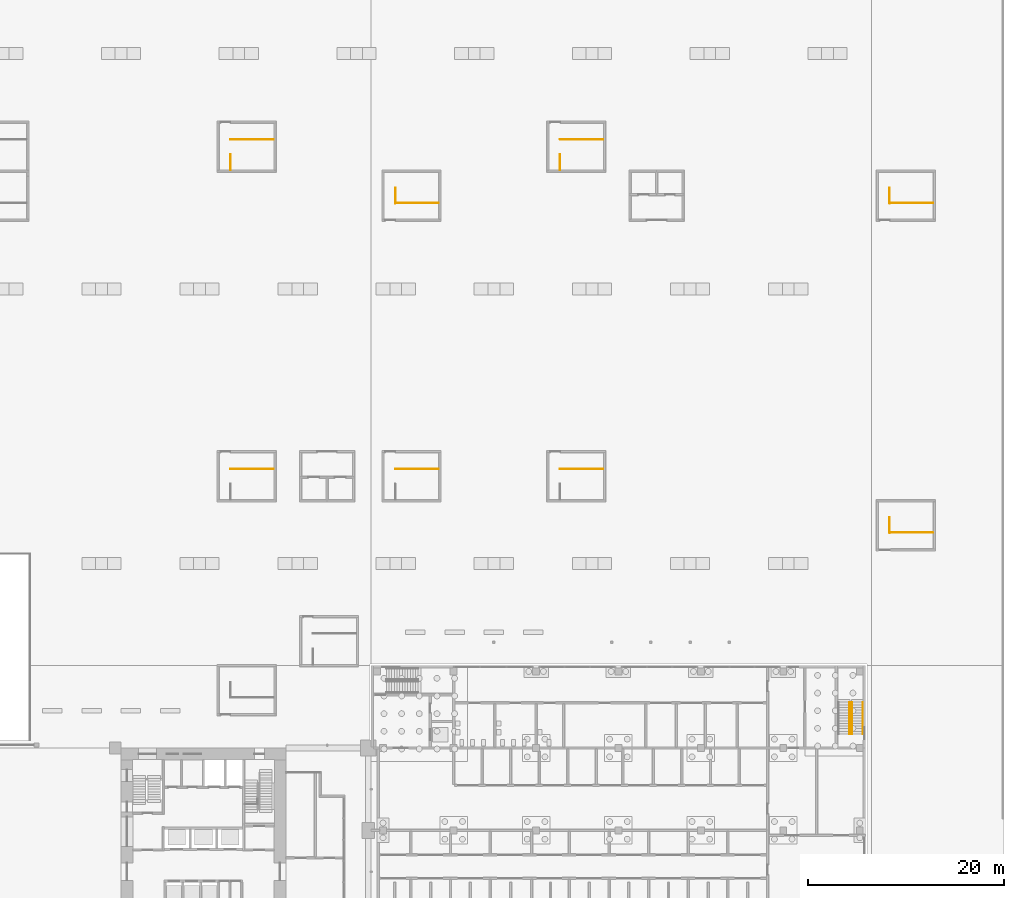
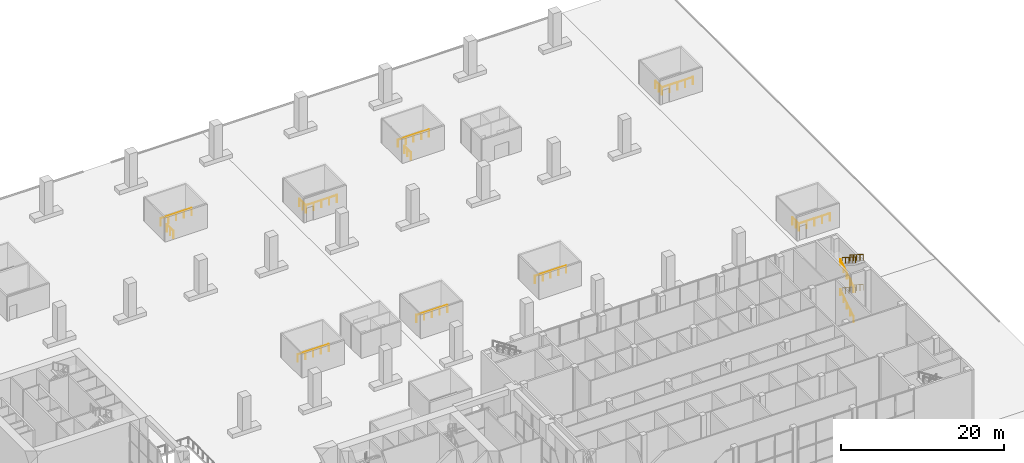
# One storey, part 42 of 46: 19 railings.
"""IFC4 building model written with IfcOpenShell, lengths in metres."""

from ifc_helpers import new_model, si_unit, direction, frame, origin, origin_2d, place, context, subcontext, project, spatial, circle, extrude, material, type_object, element, save


model = new_model("IFC4")

# Units and contexts
model_context = context("Model", 3, precision=1e-05, world=origin(), true_north=direction((0.0, 1.0)))
body_context = subcontext(model_context, "Body", "Model", "MODEL_VIEW")
ifc_project = project(units=[si_unit("LENGTHUNIT", "METRE"), si_unit("AREAUNIT", "SQUARE_METRE"), si_unit("VOLUMEUNIT", "CUBIC_METRE"), si_unit("PLANEANGLEUNIT", "RADIAN"), si_unit("MASSUNIT", "GRAM", prefix="KILO")], contexts=[model_context])

# Site, building, storey
site_placement = place(None, origin())
site = spatial("IfcSite", under=ifc_project, at=site_placement, CompositionType="ELEMENT")
building_placement = place(site_placement, origin())
building = spatial("IfcBuilding", under=site, at=building_placement, Name="Vermilion Gate Residences", CompositionType="ELEMENT")
storey_placement = place(building_placement, origin())
storey = spatial("IfcBuildingStorey", under=building, at=storey_placement, Name="L00", CompositionType="ELEMENT", Elevation=0.0)

# Railings
ifc_material_1 = material(Name="Steel", Category="steel")
railing_type_1 = type_object("IfcRailingType", Name="STAIR WELL GUARD 1100 (AMENITY)", PredefinedType="GUARDRAIL", material=ifc_material_1)
railing_1_placement = place(storey_placement, frame((69.949951171875, 53.64990234375, 0.0)))
element("IfcRailing", 1, at=railing_1_placement, inside=storey, type_object=railing_type_1, Name="Stair well guard 3 side", PredefinedType="GUARDRAIL", context=body_context, shape_type="SweptSolid", body=[
    extrude(circle(Radius=0.02392578125, at=origin_2d()), frame((0.0, 0.0, 1.076171875), z_axis=(1.0, 0.0, 0.0), x_axis=(0.0, 1.0, 0.0)), (0.0, 0.0, 1.0), 4.400146484375),
    extrude(circle(Radius=0.02099609375, at=origin_2d()), origin(), (0.0, 0.0, 1.0), 1.052001953125),
    extrude(circle(Radius=0.02099609375, at=origin_2d()), frame((1.10009765625, 0.0, 0.0)), (0.0, 0.0, 1.0), 1.052001953125),
    extrude(circle(Radius=0.02099609375, at=origin_2d()), frame((2.2001953125, 0.0, 0.0)), (0.0, 0.0, 1.0), 1.052001953125),
    extrude(circle(Radius=0.02099609375, at=origin_2d()), frame((3.300048828125, 0.0, 0.0)), (0.0, 0.0, 1.0), 1.052001953125),
    extrude(circle(Radius=0.02099609375, at=origin_2d()), frame((4.400146484375, 0.0, 0.0)), (0.0, 0.0, 1.0), 1.052001953125),
])
railing_2_placement = place(storey_placement, frame((120.35009765625, 47.1201171875, 0.0)))
element("IfcRailing", 2, at=railing_2_placement, inside=storey, type_object=railing_type_1, Name="Stair well guard 5", PredefinedType="GUARDRAIL", context=body_context, shape_type="SweptSolid", body=[
    extrude(circle(Radius=0.02392578125, at=origin_2d()), frame((0.0, 0.0, 1.076171875), z_axis=(0.0, 1.0, 0.0), x_axis=(-1.0, 0.0, 0.0)), (0.0, 0.0, 1.0), 1.579833984375),
    extrude(circle(Radius=0.02099609375, at=origin_2d()), origin(), (0.0, 0.0, 1.0), 1.052001953125),
    extrude(circle(Radius=0.02099609375, at=origin_2d()), frame((0.0, 0.7900390625, 0.0)), (0.0, 0.0, 1.0), 1.052001953125),
    extrude(circle(Radius=0.02099609375, at=origin_2d()), frame((0.0, 1.579833984375, 0.0)), (0.0, 0.0, 1.0), 1.052001953125),
])
for number, where, name in (
    (3, (120.35009765625, 47.14990234375, 0.0), "Stair well guard 5 side"),
    (4, (86.75, 53.64990234375, 0.0), "Stair well guard 6 side"),
):
    element("IfcRailing", number, at=place(storey_placement, frame(where)), inside=storey, type_object=railing_type_1, Name=name, PredefinedType="GUARDRAIL", context=body_context, shape_type="SweptSolid", body=[
        extrude(circle(Radius=0.02392578125, at=origin_2d()), frame((0.0, 0.0, 1.076171875), z_axis=(1.0, 0.0, 0.0), x_axis=(0.0, 1.0, 0.0)), (0.0, 0.0, 1.0), 4.39990234375),
        extrude(circle(Radius=0.02099609375, at=origin_2d()), origin(), (0.0, 0.0, 1.0), 1.052001953125),
        extrude(circle(Radius=0.02099609375, at=origin_2d()), frame((1.10009765625, 0.0, 0.0)), (0.0, 0.0, 1.0), 1.052001953125),
        extrude(circle(Radius=0.02099609375, at=origin_2d()), frame((2.199951171875, 0.0, 0.0)), (0.0, 0.0, 1.0), 1.052001953125),
        extrude(circle(Radius=0.02099609375, at=origin_2d()), frame((3.2998046875, 0.0, 0.0)), (0.0, 0.0, 1.0), 1.052001953125),
        extrude(circle(Radius=0.02099609375, at=origin_2d()), frame((4.39990234375, 0.0, 0.0)), (0.0, 0.0, 1.0), 1.052001953125),
    ])
railing_3_placement = place(storey_placement, frame((69.949951171875, 80.719970703125, 0.0)))
element("IfcRailing", 5, at=railing_3_placement, inside=storey, type_object=railing_type_1, Name="Stair well guard 11", PredefinedType="GUARDRAIL", context=body_context, shape_type="SweptSolid", body=[
    extrude(circle(Radius=0.02392578125, at=origin_2d()), frame((0.0, 0.0, 1.076171875), z_axis=(0.0, 1.0, 0.0), x_axis=(-1.0, 0.0, 0.0)), (0.0, 0.0, 1.0), 1.580078125),
    extrude(circle(Radius=0.02099609375, at=origin_2d()), origin(), (0.0, 0.0, 1.0), 1.052001953125),
    extrude(circle(Radius=0.02099609375, at=origin_2d()), frame((0.0, 0.7900390625, 0.0)), (0.0, 0.0, 1.0), 1.052001953125),
    extrude(circle(Radius=0.02099609375, at=origin_2d()), frame((0.0, 1.580078125, 0.0)), (0.0, 0.0, 1.0), 1.052001953125),
])
railing_4_placement = place(storey_placement, frame((69.949951171875, 80.75, 0.0)))
element("IfcRailing", 6, at=railing_4_placement, inside=storey, type_object=railing_type_1, Name="Stair well guard 11 side", PredefinedType="GUARDRAIL", context=body_context, shape_type="SweptSolid", body=[
    extrude(circle(Radius=0.02392578125, at=origin_2d()), frame((0.0, 0.0, 1.076171875), z_axis=(1.0, 0.0, 0.0), x_axis=(0.0, 1.0, 0.0)), (0.0, 0.0, 1.0), 4.400146484375),
    extrude(circle(Radius=0.02099609375, at=origin_2d()), origin(), (0.0, 0.0, 1.0), 1.052001953125),
    extrude(circle(Radius=0.02099609375, at=origin_2d()), frame((1.10009765625, 0.0, 0.0)), (0.0, 0.0, 1.0), 1.052001953125),
    extrude(circle(Radius=0.02099609375, at=origin_2d()), frame((2.2001953125, 0.0, 0.0)), (0.0, 0.0, 1.0), 1.052001953125),
    extrude(circle(Radius=0.02099609375, at=origin_2d()), frame((3.300048828125, 0.0, 0.0)), (0.0, 0.0, 1.0), 1.052001953125),
    extrude(circle(Radius=0.02099609375, at=origin_2d()), frame((4.400146484375, 0.0, 0.0)), (0.0, 0.0, 1.0), 1.052001953125),
])
railing_5_placement = place(storey_placement, frame((53.14990234375, 84.1201171875, 0.0)))
element("IfcRailing", 7, at=railing_5_placement, inside=storey, type_object=railing_type_1, Name="Stair well guard 12", PredefinedType="GUARDRAIL", context=body_context, shape_type="SweptSolid", body=[
    extrude(circle(Radius=0.02392578125, at=origin_2d()), frame((0.0, 0.0, 1.076171875), z_axis=(0.0, 1.0, 0.0), x_axis=(-1.0, 0.0, 0.0)), (0.0, 0.0, 1.0), 1.579833984375),
    extrude(circle(Radius=0.02099609375, at=origin_2d()), origin(), (0.0, 0.0, 1.0), 1.052001953125),
    extrude(circle(Radius=0.02099609375, at=origin_2d()), frame((0.0, 0.7900390625, 0.0)), (0.0, 0.0, 1.0), 1.052001953125),
    extrude(circle(Radius=0.02099609375, at=origin_2d()), frame((0.0, 1.579833984375, 0.0)), (0.0, 0.0, 1.0), 1.052001953125),
])
railing_6_placement = place(storey_placement, frame((53.14990234375, 87.25, 0.0)))
element("IfcRailing", 8, at=railing_6_placement, inside=storey, type_object=railing_type_1, Name="Stair well guard 12 side", PredefinedType="GUARDRAIL", context=body_context, shape_type="SweptSolid", body=[
    extrude(circle(Radius=0.02392578125, at=origin_2d()), frame((0.0, 0.0, 1.076171875), z_axis=(1.0, 0.0, 0.0), x_axis=(0.0, 1.0, 0.0)), (0.0, 0.0, 1.0), 4.400146484375),
    extrude(circle(Radius=0.02099609375, at=origin_2d()), origin(), (0.0, 0.0, 1.0), 1.052001953125),
    extrude(circle(Radius=0.02099609375, at=origin_2d()), frame((1.10009765625, 0.0, 0.0)), (0.0, 0.0, 1.0), 1.052001953125),
    extrude(circle(Radius=0.02099609375, at=origin_2d()), frame((2.2001953125, 0.0, 0.0)), (0.0, 0.0, 1.0), 1.052001953125),
    extrude(circle(Radius=0.02099609375, at=origin_2d()), frame((3.300048828125, 0.0, 0.0)), (0.0, 0.0, 1.0), 1.052001953125),
    extrude(circle(Radius=0.02099609375, at=origin_2d()), frame((4.400146484375, 0.0, 0.0)), (0.0, 0.0, 1.0), 1.052001953125),
])
railing_7_placement = place(storey_placement, frame((120.35009765625, 80.719970703125, 0.0)))
element("IfcRailing", 9, at=railing_7_placement, inside=storey, type_object=railing_type_1, Name="Stair well guard 13", PredefinedType="GUARDRAIL", context=body_context, shape_type="SweptSolid", body=[
    extrude(circle(Radius=0.02392578125, at=origin_2d()), frame((0.0, 0.0, 1.076171875), z_axis=(0.0, 1.0, 0.0), x_axis=(-1.0, 0.0, 0.0)), (0.0, 0.0, 1.0), 1.580078125),
    extrude(circle(Radius=0.02099609375, at=origin_2d()), origin(), (0.0, 0.0, 1.0), 1.052001953125),
    extrude(circle(Radius=0.02099609375, at=origin_2d()), frame((0.0, 0.7900390625, 0.0)), (0.0, 0.0, 1.0), 1.052001953125),
    extrude(circle(Radius=0.02099609375, at=origin_2d()), frame((0.0, 1.580078125, 0.0)), (0.0, 0.0, 1.0), 1.052001953125),
])
railing_8_placement = place(storey_placement, frame((120.35009765625, 80.75, 0.0)))
element("IfcRailing", 10, at=railing_8_placement, inside=storey, type_object=railing_type_1, Name="Stair well guard 13 side", PredefinedType="GUARDRAIL", context=body_context, shape_type="SweptSolid", body=[
    extrude(circle(Radius=0.02392578125, at=origin_2d()), frame((0.0, 0.0, 1.076171875), z_axis=(1.0, 0.0, 0.0), x_axis=(0.0, 1.0, 0.0)), (0.0, 0.0, 1.0), 4.39990234375),
    extrude(circle(Radius=0.02099609375, at=origin_2d()), origin(), (0.0, 0.0, 1.0), 1.052001953125),
    extrude(circle(Radius=0.02099609375, at=origin_2d()), frame((1.10009765625, 0.0, 0.0)), (0.0, 0.0, 1.0), 1.052001953125),
    extrude(circle(Radius=0.02099609375, at=origin_2d()), frame((2.199951171875, 0.0, 0.0)), (0.0, 0.0, 1.0), 1.052001953125),
    extrude(circle(Radius=0.02099609375, at=origin_2d()), frame((3.2998046875, 0.0, 0.0)), (0.0, 0.0, 1.0), 1.052001953125),
    extrude(circle(Radius=0.02099609375, at=origin_2d()), frame((4.39990234375, 0.0, 0.0)), (0.0, 0.0, 1.0), 1.052001953125),
])
railing_9_placement = place(storey_placement, frame((86.75, 84.1201171875, 0.0)))
element("IfcRailing", 11, at=railing_9_placement, inside=storey, type_object=railing_type_1, Name="Stair well guard 14", PredefinedType="GUARDRAIL", context=body_context, shape_type="SweptSolid", body=[
    extrude(circle(Radius=0.02392578125, at=origin_2d()), frame((0.0, 0.0, 1.076171875), z_axis=(0.0, 1.0, 0.0), x_axis=(-1.0, 0.0, 0.0)), (0.0, 0.0, 1.0), 1.579833984375),
    extrude(circle(Radius=0.02099609375, at=origin_2d()), origin(), (0.0, 0.0, 1.0), 1.052001953125),
    extrude(circle(Radius=0.02099609375, at=origin_2d()), frame((0.0, 0.7900390625, 0.0)), (0.0, 0.0, 1.0), 1.052001953125),
    extrude(circle(Radius=0.02099609375, at=origin_2d()), frame((0.0, 1.579833984375, 0.0)), (0.0, 0.0, 1.0), 1.052001953125),
])
railing_10_placement = place(storey_placement, frame((86.75, 87.25, 0.0)))
element("IfcRailing", 12, at=railing_10_placement, inside=storey, type_object=railing_type_1, Name="Stair well guard 14 side", PredefinedType="GUARDRAIL", context=body_context, shape_type="SweptSolid", body=[
    extrude(circle(Radius=0.02392578125, at=origin_2d()), frame((0.0, 0.0, 1.076171875), z_axis=(1.0, 0.0, 0.0), x_axis=(0.0, 1.0, 0.0)), (0.0, 0.0, 1.0), 4.39990234375),
    extrude(circle(Radius=0.02099609375, at=origin_2d()), origin(), (0.0, 0.0, 1.0), 1.052001953125),
    extrude(circle(Radius=0.02099609375, at=origin_2d()), frame((1.10009765625, 0.0, 0.0)), (0.0, 0.0, 1.0), 1.052001953125),
    extrude(circle(Radius=0.02099609375, at=origin_2d()), frame((2.199951171875, 0.0, 0.0)), (0.0, 0.0, 1.0), 1.052001953125),
    extrude(circle(Radius=0.02099609375, at=origin_2d()), frame((3.2998046875, 0.0, 0.0)), (0.0, 0.0, 1.0), 1.052001953125),
    extrude(circle(Radius=0.02099609375, at=origin_2d()), frame((4.39990234375, 0.0, 0.0)), (0.0, 0.0, 1.0), 1.052001953125),
])
railing_11_placement = place(storey_placement, frame((53.14990234375, 53.64990234375, 0.0)))
element("IfcRailing", 13, at=railing_11_placement, inside=storey, type_object=railing_type_1, Name="Stair well guard 15 side", PredefinedType="GUARDRAIL", context=body_context, shape_type="SweptSolid", body=[
    extrude(circle(Radius=0.02392578125, at=origin_2d()), frame((0.0, 0.0, 1.076171875), z_axis=(1.0, 0.0, 0.0), x_axis=(0.0, 1.0, 0.0)), (0.0, 0.0, 1.0), 4.400146484375),
    extrude(circle(Radius=0.02099609375, at=origin_2d()), origin(), (0.0, 0.0, 1.0), 1.052001953125),
    extrude(circle(Radius=0.02099609375, at=origin_2d()), frame((1.10009765625, 0.0, 0.0)), (0.0, 0.0, 1.0), 1.052001953125),
    extrude(circle(Radius=0.02099609375, at=origin_2d()), frame((2.2001953125, 0.0, 0.0)), (0.0, 0.0, 1.0), 1.052001953125),
    extrude(circle(Radius=0.02099609375, at=origin_2d()), frame((3.300048828125, 0.0, 0.0)), (0.0, 0.0, 1.0), 1.052001953125),
    extrude(circle(Radius=0.02099609375, at=origin_2d()), frame((4.400146484375, 0.0, 0.0)), (0.0, 0.0, 1.0), 1.052001953125),
])
ifc_material_2 = material(Name="Steel", Category="steel")
railing_type_2 = type_object("IfcRailingType", Name="STEEL HANDRAIL 900 (MARKET HALL)", PredefinedType="HANDRAIL", material=ifc_material_2)
railing_12_placement = place(storey_placement, frame((116.25, 26.625, 0.173095703125)))
element("IfcRailing", 14, at=railing_12_placement, inside=storey, type_object=railing_type_2, Name="Stair handrail STH3-00-1b", PredefinedType="HANDRAIL", context=body_context, shape_type="SweptSolid", body=[
    extrude(circle(Radius=0.0224609375, at=origin_2d()), frame((0.0, 0.0, 0.87744140625), z_axis=(0.0, 0.841880617004, 0.539663808971), x_axis=(-1.0, 0.0, 0.0)), (0.0, 0.0, 1.0), 3.8486328125),
    extrude(circle(Radius=0.02001953125, at=origin_2d()), origin(), (0.0, 0.0, 1.0), 0.85498046875),
    extrude(circle(Radius=0.02001953125, at=origin_2d()), frame((0.0, 0.81005859375, 0.519287109375)), (0.0, 0.0, 1.0), 0.85498046875),
    extrude(circle(Radius=0.02001953125, at=origin_2d()), frame((0.0, 1.6201171875, 1.03857421875)), (0.0, 0.0, 1.0), 0.85498046875),
    extrude(circle(Radius=0.02001953125, at=origin_2d()), frame((0.0, 2.429931640625, 1.5576171875)), (0.0, 0.0, 1.0), 0.85498046875),
    extrude(circle(Radius=0.02001953125, at=origin_2d()), frame((0.0, 3.239990234375, 2.076904296875)), (0.0, 0.0, 1.0), 0.85498046875),
])
for number, where, name in (
    (15, (116.5, 29.864990234375, 2.423095703125), "Stair handrail STH3-00-2a"),
    (16, (117.60009765625, 29.864990234375, 2.423095703125), "Stair handrail STH3-00-2b"),
):
    element("IfcRailing", number, at=place(storey_placement, frame(where)), inside=storey, type_object=railing_type_2, Name=name, PredefinedType="HANDRAIL", context=body_context, shape_type="SweptSolid", body=[
        extrude(circle(Radius=0.0224609375, at=origin_2d()), frame((0.0, 0.0, 0.87744140625), z_axis=(0.0, -0.841880617004, 0.539663808971), x_axis=(1.0, 0.0, 0.0)), (0.0, 0.0, 1.0), 3.8486328125),
        extrude(circle(Radius=0.02001953125, at=origin_2d()), origin(), (0.0, 0.0, 1.0), 0.85498046875),
        extrude(circle(Radius=0.02001953125, at=origin_2d()), frame((0.0, -0.81005859375, 0.519287109375)), (0.0, 0.0, 1.0), 0.85498046875),
        extrude(circle(Radius=0.02001953125, at=origin_2d()), frame((0.0, -1.6201171875, 1.03857421875)), (0.0, 0.0, 1.0), 0.85498046875),
        extrude(circle(Radius=0.02001953125, at=origin_2d()), frame((0.0, -2.429931640625, 1.5576171875)), (0.0, 0.0, 1.0), 0.85498046875),
        extrude(circle(Radius=0.02001953125, at=origin_2d()), frame((0.0, -3.239990234375, 2.076904296875)), (0.0, 0.0, 1.0), 0.85498046875),
    ])
railing_13_placement = place(storey_placement, frame((116.25, 26.625, 4.673095703125)))
element("IfcRailing", 17, at=railing_13_placement, inside=storey, type_object=railing_type_2, Name="Stair handrail STH3-00-3b", PredefinedType="HANDRAIL", context=body_context, shape_type="SweptSolid", body=[
    extrude(circle(Radius=0.0224609375, at=origin_2d()), frame((0.0, 0.0, 0.87744140625), z_axis=(0.0, 0.841880617004, 0.539663808971), x_axis=(-1.0, 0.0, 0.0)), (0.0, 0.0, 1.0), 3.8486328125),
    extrude(circle(Radius=0.02001953125, at=origin_2d()), origin(), (0.0, 0.0, 1.0), 0.85498046875),
    extrude(circle(Radius=0.02001953125, at=origin_2d()), frame((0.0, 0.81005859375, 0.519287109375)), (0.0, 0.0, 1.0), 0.85498046875),
    extrude(circle(Radius=0.02001953125, at=origin_2d()), frame((0.0, 1.6201171875, 1.03857421875)), (0.0, 0.0, 1.0), 0.85498046875),
    extrude(circle(Radius=0.02001953125, at=origin_2d()), frame((0.0, 2.429931640625, 1.5576171875)), (0.0, 0.0, 1.0), 0.85498046875),
    extrude(circle(Radius=0.02001953125, at=origin_2d()), frame((0.0, 3.239990234375, 2.076904296875)), (0.0, 0.0, 1.0), 0.85498046875),
])
for number, where, name in (
    (18, (116.5, 29.864990234375, 6.923095703125), "Stair handrail STH3-00-4a"),
    (19, (117.60009765625, 29.864990234375, 6.923095703125), "Stair handrail STH3-00-4b"),
):
    element("IfcRailing", number, at=place(storey_placement, frame(where)), inside=storey, type_object=railing_type_2, Name=name, PredefinedType="HANDRAIL", context=body_context, shape_type="SweptSolid", body=[
        extrude(circle(Radius=0.0224609375, at=origin_2d()), frame((0.0, 0.0, 0.87744140625), z_axis=(0.0, -0.841880617004, 0.539663808971), x_axis=(1.0, 0.0, 0.0)), (0.0, 0.0, 1.0), 3.8486328125),
        extrude(circle(Radius=0.02001953125, at=origin_2d()), origin(), (0.0, 0.0, 1.0), 0.85498046875),
        extrude(circle(Radius=0.02001953125, at=origin_2d()), frame((0.0, -0.81005859375, 0.519287109375)), (0.0, 0.0, 1.0), 0.85498046875),
        extrude(circle(Radius=0.02001953125, at=origin_2d()), frame((0.0, -1.6201171875, 1.03857421875)), (0.0, 0.0, 1.0), 0.85498046875),
        extrude(circle(Radius=0.02001953125, at=origin_2d()), frame((0.0, -2.429931640625, 1.5576171875)), (0.0, 0.0, 1.0), 0.85498046875),
        extrude(circle(Radius=0.02001953125, at=origin_2d()), frame((0.0, -3.239990234375, 2.076904296875)), (0.0, 0.0, 1.0), 0.85498046875),
    ])

save(model, "model.ifc")
